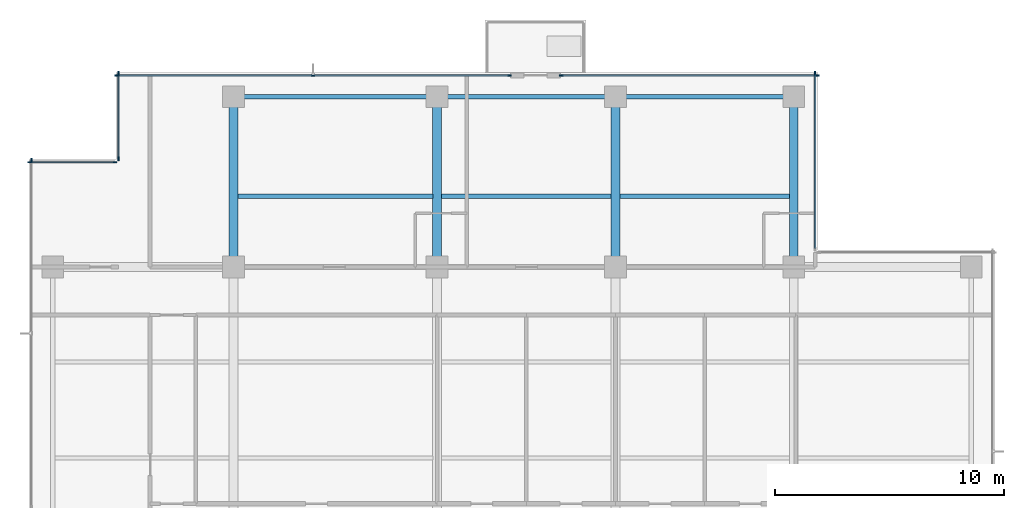
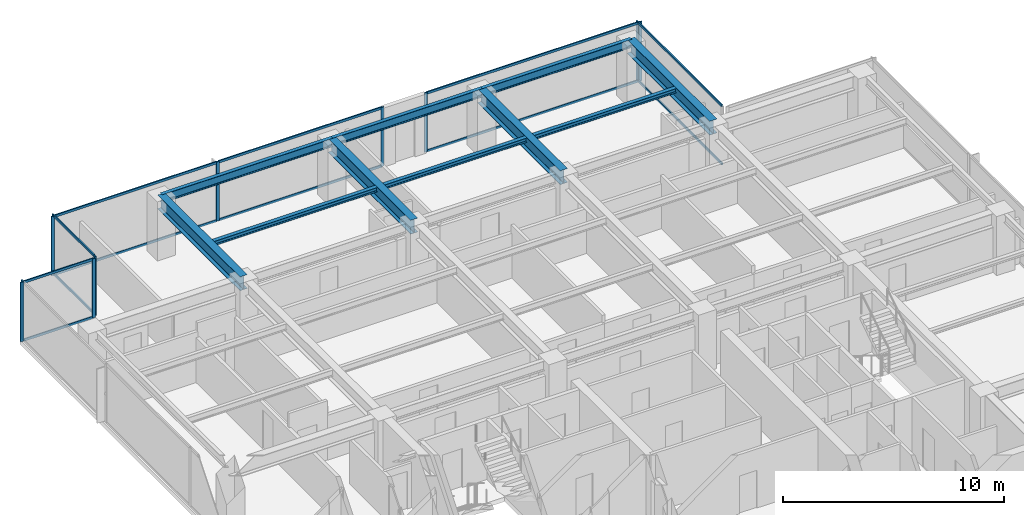
# One storey, part 5 of 15: 23 members, 10 beams, 6 elements without a shape of their own.
"""IFC4 building model written with IfcOpenShell, lengths in metres."""

from ifc_helpers import new_model, si_unit, direction, frame, origin, origin_2d, place, context, subcontext, project, spatial, rectangle, i_section, extrude, material, layer, layer_set, material_profile, profile_set, type_object, element, aggregate, save


model = new_model("IFC4")

# Units and contexts
model_context = context("Model", 3, precision=1e-05, world=origin(), true_north=direction((0.0, 1.0)))
body_context = subcontext(model_context, "Body", "Model", "MODEL_VIEW")
ifc_project = project(units=[si_unit("LENGTHUNIT", "METRE"), si_unit("AREAUNIT", "SQUARE_METRE"), si_unit("VOLUMEUNIT", "CUBIC_METRE"), si_unit("PLANEANGLEUNIT", "RADIAN"), si_unit("MASSUNIT", "GRAM", prefix="KILO")], contexts=[model_context])

# Site, building, storey
site_placement = place(None, origin())
site = spatial("IfcSite", under=ifc_project, at=site_placement, CompositionType="ELEMENT")
building_placement = place(site_placement, origin())
building = spatial("IfcBuilding", under=site, at=building_placement, Name="Qalmaran Belvedere Hotel", CompositionType="ELEMENT")
storey_placement = place(building_placement, frame((0.0, 0.0, 221.39990234375)))
storey = spatial("IfcBuildingStorey", under=building, at=storey_placement, Name="L56", CompositionType="ELEMENT", Elevation=221.39990234375)

# Beams
ifc_material_1 = material(Name="Steel S355JR", Category="steel")
ifc_material_profile_1 = material_profile(ifc_material_1, i_section(OverallWidth=0.201904296875, OverallDepth=0.2470703125, WebThickness=0.00732421875, FlangeThickness=0.010986328125, FilletRadius=0.011962890625, at=origin_2d()), Name="W250X49")
ifc_profile_set_1 = profile_set([ifc_material_profile_1], Name="Steel S355JR")
beam_type_1 = type_object("IfcBeamType", Name="BM-JST-W250X49", PredefinedType="JOIST", material=ifc_profile_set_1)
beam_1_placement = place(storey_placement, frame((20.488525390625, 36.10009765625, 3.13671875), z_axis=(1.0, 0.0, 0.0), x_axis=(0.0, 1.0, 0.0)))
element("IfcBeam", 1, at=beam_1_placement, inside=storey, type_object=beam_type_1, Name="L56 North Floor Joist 042", PredefinedType="JOIST", context=body_context, shape_type="SweptSolid", body=[
    extrude(i_section(OverallWidth=0.201904296875, OverallDepth=0.2470703125, WebThickness=0.00732421875, FlangeThickness=0.010986328125, FilletRadius=0.011962890625, at=origin_2d()), origin(), (0.0, 0.0, 1.0), 8.52294921875),
])
for number, where, z_axis, x_axis, name in (
    (2, (29.388427734375, 36.10009765625, 3.13671875), (1.0, 0.0, 0.0), (0.0, 1.0, 0.0), "L56 North Floor Joist 043"),
    (3, (37.1884765625, 36.10009765625, 3.13671875), (1.0, 0.0, 0.0), (0.0, 1.0, 0.0), "L56 North Floor Joist 044"),
):
    element("IfcBeam", number, at=place(storey_placement, frame(where, z_axis=z_axis, x_axis=x_axis)), inside=storey, type_object=beam_type_1, Name=name, PredefinedType="JOIST", context=body_context, shape_type="SweptSolid", body=[
        extrude(i_section(OverallWidth=0.201904296875, OverallDepth=0.2470703125, WebThickness=0.00732421875, FlangeThickness=0.010986328125, FilletRadius=0.011962890625, at=origin_2d()), origin(), (0.0, 0.0, 1.0), 7.423095703125),
    ])
ifc_material_profile_2 = material_profile(ifc_material_1, i_section(OverallWidth=0.381103515625, OverallDepth=0.77294921875, WebThickness=0.0166015625, FlangeThickness=0.027099609375, FilletRadius=0.02197265625, at=origin_2d()), Name="W760X257")
ifc_profile_set_2 = profile_set([ifc_material_profile_2], Name="Steel S355JR")
beam_type_2 = type_object("IfcBeamType", Name="BM-PG4-W760X257", PredefinedType="USERDEFINED", material=ifc_profile_set_2)
for number, where, z_axis, x_axis, name in (
    (4, (20.300048828125, 33.0, 2.87353515625), (0.0, 1.0, 0.0), (-1.0, 0.0, 0.0), "L56 North Bay Girder 15"),
    (5, (29.199951171875, 33.0, 2.87353515625), (0.0, 1.0, 0.0), (-1.0, 0.0, 0.0), "L56 North Bay Girder 17"),
    (6, (37.0, 33.0, 2.87353515625), (0.0, 1.0, 0.0), (-1.0, 0.0, 0.0), "L56 North Bay Girder 19"),
    (7, (44.800048828125, 33.0, 2.87353515625), (0.0, 1.0, 0.0), (-1.0, 0.0, 0.0), "L56 North Bay Girder 21"),
):
    element("IfcBeam", number, at=place(storey_placement, frame(where, z_axis=z_axis, x_axis=x_axis)), inside=storey, type_object=beam_type_2, Name=name, ObjectType="GIRDER", PredefinedType="USERDEFINED", context=body_context, shape_type="SweptSolid", body=[
        extrude(i_section(OverallWidth=0.381103515625, OverallDepth=0.77294921875, WebThickness=0.0166015625, FlangeThickness=0.027099609375, FilletRadius=0.02197265625, at=origin_2d()), origin(), (0.0, 0.0, 1.0), 7.449951171875),
    ])
ifc_material_profile_3 = material_profile(ifc_material_1, i_section(OverallWidth=0.19189453125, OverallDepth=0.462890625, WebThickness=0.010498046875, FlangeThickness=0.017578125, FilletRadius=0.01611328125, at=origin_2d()), Name="W460X89")
ifc_profile_set_3 = profile_set([ifc_material_profile_3], Name="Steel S355JR")
beam_type_3 = type_object("IfcBeamType", Name="BM-SP2-W460X89", PredefinedType="SPANDREL", material=ifc_profile_set_3)
beam_2_placement = place(storey_placement, frame((20.300048828125, 40.449951171875, 3.028564453125), z_axis=(1.0, 0.0, 0.0), x_axis=(0.0, 1.0, 0.0)))
element("IfcBeam", 8, at=beam_2_placement, inside=storey, type_object=beam_type_3, Name="L56 Perimeter Spandrel 05", PredefinedType="SPANDREL", context=body_context, shape_type="SweptSolid", body=[
    extrude(i_section(OverallWidth=0.19189453125, OverallDepth=0.462890625, WebThickness=0.010498046875, FlangeThickness=0.017578125, FilletRadius=0.01611328125, at=origin_2d()), origin(), (0.0, 0.0, 1.0), 8.89990234375),
])
for number, where, z_axis, x_axis, name in (
    (9, (29.199951171875, 40.449951171875, 3.028564453125), (1.0, 0.0, 0.0), (0.0, 1.0, 0.0), "L56 Perimeter Spandrel 06"),
    (10, (37.0, 40.449951171875, 3.028564453125), (1.0, 0.0, 0.0), (0.0, 1.0, 0.0), "L56 Perimeter Spandrel 07"),
):
    element("IfcBeam", number, at=place(storey_placement, frame(where, z_axis=z_axis, x_axis=x_axis)), inside=storey, type_object=beam_type_3, Name=name, PredefinedType="SPANDREL", context=body_context, shape_type="SweptSolid", body=[
        extrude(i_section(OverallWidth=0.19189453125, OverallDepth=0.462890625, WebThickness=0.010498046875, FlangeThickness=0.017578125, FilletRadius=0.01611328125, at=origin_2d()), origin(), (0.0, 0.0, 1.0), 7.800048828125),
    ])

# Curtain wall, member
ifc_material_2 = material(Name="Anodised Bronze Aluminium", Category="aluminium")
ifc_layer = layer(ifc_material_2, 0.18994140625, Name="Anodised Bronze Aluminium")
ifc_layer_set = layer_set([ifc_layer], Name="Anodised Bronze Aluminium")
curtain_wall_type = type_object("IfcCurtainWallType", Name="CW5-TOWER-UPPER", PredefinedType="NOTDEFINED", material=ifc_layer_set)
curtain_wall_1_placement = place(storey_placement, origin())
curtain_wall_1 = element("IfcCurtainWall", 11, at=curtain_wall_1_placement, inside=storey, type_object=curtain_wall_type, Name="L56 Curtain Wall CW5", PredefinedType="NOTDEFINED")
ifc_material_profile_4 = material_profile(ifc_material_2, rectangle(XDim=0.06494140625, YDim=0.1650390625, at=origin_2d()), Name="CWM65X165")
ifc_profile_set_4 = profile_set([ifc_material_profile_4], Name="Anodised Bronze Aluminium")
member_type_1 = type_object("IfcMemberType", Name="CWM-65X165", PredefinedType="MULLION", material=ifc_profile_set_4)
member_1_placement = place(storey_placement, frame((45.72998046875, 41.467529296875, 0.0), z_axis=(0.0, 0.0, 1.0), x_axis=(-1.0, 0.0, 0.0)))
member_1 = element("IfcMember", 12, at=member_1_placement, type_object=member_type_1, Name="CW5 mullion 2", PredefinedType="MULLION", context=body_context, shape_type="SweptSolid", body=[
    extrude(rectangle(XDim=0.06494140625, YDim=0.1650390625, at=origin_2d()), origin(), (0.0, 0.0, 1.0), 3.260009765625),
])

# Curtain wall, members
curtain_wall_2_placement = place(storey_placement, origin())
curtain_wall_2 = element("IfcCurtainWall", 13, at=curtain_wall_2_placement, inside=storey, type_object=curtain_wall_type, Name="L56 Curtain Wall CW5", PredefinedType="NOTDEFINED")
member_2_placement = place(storey_placement, frame((32.367431640625, 41.3798828125, 0.0), z_axis=(0.0, 0.0, 1.0), x_axis=(0.0, -1.0, 0.0)))
member_2 = element("IfcMember", 14, at=member_2_placement, type_object=member_type_1, Name="CW5 mullion 1", PredefinedType="MULLION", context=body_context, shape_type="SweptSolid", body=[
    extrude(rectangle(XDim=0.06494140625, YDim=0.1650390625, at=origin_2d()), origin(), (0.0, 0.0, 1.0), 3.260009765625),
])
member_3_placement = place(storey_placement, frame((23.77490234375, 41.3798828125, 0.0), z_axis=(0.0, 0.0, 1.0), x_axis=(0.0, -1.0, 0.0)))
member_3 = element("IfcMember", 15, at=member_3_placement, type_object=member_type_1, Name="CW5 mullion 2", PredefinedType="MULLION", context=body_context, shape_type="SweptSolid", body=[
    extrude(rectangle(XDim=0.06494140625, YDim=0.1650390625, at=origin_2d()), origin(), (0.0, 0.0, 1.0), 3.260009765625),
])
member_4_placement = place(storey_placement, frame((15.1826171875, 41.3798828125, 0.0), z_axis=(0.0, 0.0, 1.0), x_axis=(0.0, -1.0, 0.0)))
member_4 = element("IfcMember", 16, at=member_4_placement, type_object=member_type_1, Name="CW5 mullion 3", PredefinedType="MULLION", context=body_context, shape_type="SweptSolid", body=[
    extrude(rectangle(XDim=0.06494140625, YDim=0.1650390625, at=origin_2d()), origin(), (0.0, 0.0, 1.0), 3.260009765625),
])

curtain_wall_3_placement = place(storey_placement, origin())
curtain_wall_3 = element("IfcCurtainWall", 17, at=curtain_wall_3_placement, inside=storey, type_object=curtain_wall_type, Name="L56 Curtain Wall CW5", PredefinedType="NOTDEFINED")
member_5_placement = place(storey_placement, frame((45.8173828125, 41.3798828125, 0.0), z_axis=(0.0, 0.0, 1.0), x_axis=(0.0, -1.0, 0.0)))
member_5 = element("IfcMember", 18, at=member_5_placement, type_object=member_type_1, Name="CW5 mullion 1", PredefinedType="MULLION", context=body_context, shape_type="SweptSolid", body=[
    extrude(rectangle(XDim=0.06494140625, YDim=0.1650390625, at=origin_2d()), origin(), (0.0, 0.0, 1.0), 3.260009765625),
])
member_6_placement = place(storey_placement, frame((34.632568359375, 41.3798828125, 0.0), z_axis=(0.0, 0.0, 1.0), x_axis=(0.0, -1.0, 0.0)))
member_6 = element("IfcMember", 19, at=member_6_placement, type_object=member_type_1, Name="CW5 mullion 2", PredefinedType="MULLION", context=body_context, shape_type="SweptSolid", body=[
    extrude(rectangle(XDim=0.06494140625, YDim=0.1650390625, at=origin_2d()), origin(), (0.0, 0.0, 1.0), 3.260009765625),
])

curtain_wall_4_placement = place(storey_placement, origin())
curtain_wall_4 = element("IfcCurtainWall", 20, at=curtain_wall_4_placement, inside=storey, type_object=curtain_wall_type, Name="L56 Curtain Wall CW5", PredefinedType="NOTDEFINED")
member_7_placement = place(storey_placement, frame((15.27001953125, 41.467529296875, 0.0), z_axis=(0.0, 0.0, 1.0), x_axis=(1.0, 0.0, 0.0)))
member_7 = element("IfcMember", 21, at=member_7_placement, type_object=member_type_1, Name="CW5 mullion 1", PredefinedType="MULLION", context=body_context, shape_type="SweptSolid", body=[
    extrude(rectangle(XDim=0.06494140625, YDim=0.1650390625, at=origin_2d()), origin(), (0.0, 0.0, 1.0), 3.260009765625),
])
member_8_placement = place(storey_placement, frame((15.27001953125, 37.732421875, 0.0), z_axis=(0.0, 0.0, 1.0), x_axis=(1.0, 0.0, 0.0)))
member_8 = element("IfcMember", 22, at=member_8_placement, type_object=member_type_1, Name="CW5 mullion 2", PredefinedType="MULLION", context=body_context, shape_type="SweptSolid", body=[
    extrude(rectangle(XDim=0.06494140625, YDim=0.1650390625, at=origin_2d()), origin(), (0.0, 0.0, 1.0), 3.260009765625),
])

curtain_wall_5_placement = place(storey_placement, origin())
curtain_wall_5 = element("IfcCurtainWall", 23, at=curtain_wall_5_placement, inside=storey, type_object=curtain_wall_type, Name="L56 Curtain Wall CW5", PredefinedType="NOTDEFINED")
member_9_placement = place(storey_placement, frame((15.117431640625, 37.580078125, 0.0), z_axis=(0.0, 0.0, 1.0), x_axis=(0.0, -1.0, 0.0)))
member_9 = element("IfcMember", 24, at=member_9_placement, type_object=member_type_1, Name="CW5 mullion 1", PredefinedType="MULLION", context=body_context, shape_type="SweptSolid", body=[
    extrude(rectangle(XDim=0.06494140625, YDim=0.1650390625, at=origin_2d()), origin(), (0.0, 0.0, 1.0), 3.260009765625),
])
member_10_placement = place(storey_placement, frame((11.382568359375, 37.580078125, 0.0), z_axis=(0.0, 0.0, 1.0), x_axis=(0.0, -1.0, 0.0)))
member_10 = element("IfcMember", 25, at=member_10_placement, type_object=member_type_1, Name="CW5 mullion 2", PredefinedType="MULLION", context=body_context, shape_type="SweptSolid", body=[
    extrude(rectangle(XDim=0.06494140625, YDim=0.1650390625, at=origin_2d()), origin(), (0.0, 0.0, 1.0), 3.260009765625),
])

# Curtain wall, member
curtain_wall_6_placement = place(storey_placement, origin())
curtain_wall_6 = element("IfcCurtainWall", 26, at=curtain_wall_6_placement, inside=storey, type_object=curtain_wall_type, Name="L56 Curtain Wall CW5", PredefinedType="NOTDEFINED")
member_11_placement = place(storey_placement, frame((11.469970703125, 37.66748046875, 0.0), z_axis=(0.0, 0.0, 1.0), x_axis=(1.0, 0.0, 0.0)))
member_11 = element("IfcMember", 27, at=member_11_placement, type_object=member_type_1, Name="CW5 mullion 1", PredefinedType="MULLION", context=body_context, shape_type="SweptSolid", body=[
    extrude(rectangle(XDim=0.06494140625, YDim=0.1650390625, at=origin_2d()), origin(), (0.0, 0.0, 1.0), 3.260009765625),
])
aggregate(curtain_wall_6, [member_11])

# Member
ifc_material_profile_5 = material_profile(ifc_material_2, rectangle(XDim=0.06494140625, YDim=0.1298828125, at=origin_2d()), Name="CWT65X130")
ifc_profile_set_5 = profile_set([ifc_material_profile_5], Name="Anodised Bronze Aluminium")
member_type_2 = type_object("IfcMemberType", Name="CWT-65X130", PredefinedType="USERDEFINED", material=ifc_profile_set_5)
member_12_placement = place(storey_placement, frame((45.72998046875, 33.81494140625, 0.03271484375), z_axis=(0.0, 1.0, 0.0), x_axis=(-1.0, 0.0, 0.0)))
member_12 = element("IfcMember", 28, at=member_12_placement, type_object=member_type_2, Name="CW5 transom 1.1", ObjectType="TRANSOM", PredefinedType="USERDEFINED", context=body_context, shape_type="SweptSolid", body=[
    extrude(rectangle(XDim=0.06494140625, YDim=0.1298828125, at=origin_2d()), origin(), (0.0, 0.0, 1.0), 7.6201171875),
])

member_13_placement = place(storey_placement, frame((45.72998046875, 33.81494140625, 3.2275390625), z_axis=(0.0, 1.0, 0.0), x_axis=(-1.0, 0.0, 0.0)))
member_13 = element("IfcMember", 29, at=member_13_placement, type_object=member_type_2, Name="CW5 transom 1.2", ObjectType="TRANSOM", PredefinedType="USERDEFINED", context=body_context, shape_type="SweptSolid", body=[
    extrude(rectangle(XDim=0.06494140625, YDim=0.1298828125, at=origin_2d()), origin(), (0.0, 0.0, 1.0), 7.6201171875),
])

aggregate(curtain_wall_1, [member_1, member_12, member_13])

member_14_placement = place(storey_placement, frame((32.3349609375, 41.3798828125, 0.03271484375), z_axis=(-1.0, 0.0, 0.0), x_axis=(0.0, -1.0, 0.0)))
member_14 = element("IfcMember", 30, at=member_14_placement, type_object=member_type_2, Name="CW5 transom 1.1", ObjectType="TRANSOM", PredefinedType="USERDEFINED", context=body_context, shape_type="SweptSolid", body=[
    extrude(rectangle(XDim=0.06494140625, YDim=0.1298828125, at=origin_2d()), origin(), (0.0, 0.0, 1.0), 8.52734375),
])

member_15_placement = place(storey_placement, frame((32.3349609375, 41.3798828125, 3.2275390625), z_axis=(-1.0, 0.0, 0.0), x_axis=(0.0, -1.0, 0.0)))
member_15 = element("IfcMember", 31, at=member_15_placement, type_object=member_type_2, Name="CW5 transom 1.2", ObjectType="TRANSOM", PredefinedType="USERDEFINED", context=body_context, shape_type="SweptSolid", body=[
    extrude(rectangle(XDim=0.06494140625, YDim=0.1298828125, at=origin_2d()), origin(), (0.0, 0.0, 1.0), 8.52734375),
])

member_16_placement = place(storey_placement, frame((23.742431640625, 41.3798828125, 0.03271484375), z_axis=(-1.0, 0.0, 0.0), x_axis=(0.0, -1.0, 0.0)))
member_16 = element("IfcMember", 32, at=member_16_placement, type_object=member_type_2, Name="CW5 transom 2.1", ObjectType="TRANSOM", PredefinedType="USERDEFINED", context=body_context, shape_type="SweptSolid", body=[
    extrude(rectangle(XDim=0.06494140625, YDim=0.1298828125, at=origin_2d()), origin(), (0.0, 0.0, 1.0), 8.52734375),
])

member_17_placement = place(storey_placement, frame((23.742431640625, 41.3798828125, 3.2275390625), z_axis=(-1.0, 0.0, 0.0), x_axis=(0.0, -1.0, 0.0)))
member_17 = element("IfcMember", 33, at=member_17_placement, type_object=member_type_2, Name="CW5 transom 2.2", ObjectType="TRANSOM", PredefinedType="USERDEFINED", context=body_context, shape_type="SweptSolid", body=[
    extrude(rectangle(XDim=0.06494140625, YDim=0.1298828125, at=origin_2d()), origin(), (0.0, 0.0, 1.0), 8.52734375),
])

aggregate(curtain_wall_2, [member_2, member_3, member_4, member_14, member_15, member_16, member_17])

member_18_placement = place(storey_placement, frame((45.784912109375, 41.3798828125, 0.03271484375), z_axis=(-1.0, 0.0, 0.0), x_axis=(0.0, -1.0, 0.0)))
member_18 = element("IfcMember", 34, at=member_18_placement, type_object=member_type_2, Name="CW5 transom 1.1", ObjectType="TRANSOM", PredefinedType="USERDEFINED", context=body_context, shape_type="SweptSolid", body=[
    extrude(rectangle(XDim=0.06494140625, YDim=0.1298828125, at=origin_2d()), origin(), (0.0, 0.0, 1.0), 11.119873046875),
])

member_19_placement = place(storey_placement, frame((45.784912109375, 41.3798828125, 3.2275390625), z_axis=(-1.0, 0.0, 0.0), x_axis=(0.0, -1.0, 0.0)))
member_19 = element("IfcMember", 35, at=member_19_placement, type_object=member_type_2, Name="CW5 transom 1.2", ObjectType="TRANSOM", PredefinedType="USERDEFINED", context=body_context, shape_type="SweptSolid", body=[
    extrude(rectangle(XDim=0.06494140625, YDim=0.1298828125, at=origin_2d()), origin(), (0.0, 0.0, 1.0), 11.119873046875),
])

aggregate(curtain_wall_3, [member_5, member_6, member_18, member_19])

member_20_placement = place(storey_placement, frame((15.27001953125, 41.43505859375, 0.03271484375), z_axis=(0.0, -1.0, 0.0), x_axis=(1.0, 0.0, 0.0)))
member_20 = element("IfcMember", 36, at=member_20_placement, type_object=member_type_2, Name="CW5 transom 1.1", ObjectType="TRANSOM", PredefinedType="USERDEFINED", context=body_context, shape_type="SweptSolid", body=[
    extrude(rectangle(XDim=0.06494140625, YDim=0.1298828125, at=origin_2d()), origin(), (0.0, 0.0, 1.0), 3.670166015625),
])

member_21_placement = place(storey_placement, frame((15.27001953125, 41.43505859375, 3.2275390625), z_axis=(0.0, -1.0, 0.0), x_axis=(1.0, 0.0, 0.0)))
member_21 = element("IfcMember", 37, at=member_21_placement, type_object=member_type_2, Name="CW5 transom 1.2", ObjectType="TRANSOM", PredefinedType="USERDEFINED", context=body_context, shape_type="SweptSolid", body=[
    extrude(rectangle(XDim=0.06494140625, YDim=0.1298828125, at=origin_2d()), origin(), (0.0, 0.0, 1.0), 3.670166015625),
])

aggregate(curtain_wall_4, [member_7, member_8, member_20, member_21])

member_22_placement = place(storey_placement, frame((15.0849609375, 37.580078125, 0.03271484375), z_axis=(-1.0, 0.0, 0.0), x_axis=(0.0, -1.0, 0.0)))
member_22 = element("IfcMember", 38, at=member_22_placement, type_object=member_type_2, Name="CW5 transom 1.1", ObjectType="TRANSOM", PredefinedType="USERDEFINED", context=body_context, shape_type="SweptSolid", body=[
    extrude(rectangle(XDim=0.06494140625, YDim=0.1298828125, at=origin_2d()), origin(), (0.0, 0.0, 1.0), 3.669921875),
])

member_23_placement = place(storey_placement, frame((15.0849609375, 37.580078125, 3.2275390625), z_axis=(-1.0, 0.0, 0.0), x_axis=(0.0, -1.0, 0.0)))
member_23 = element("IfcMember", 39, at=member_23_placement, type_object=member_type_2, Name="CW5 transom 1.2", ObjectType="TRANSOM", PredefinedType="USERDEFINED", context=body_context, shape_type="SweptSolid", body=[
    extrude(rectangle(XDim=0.06494140625, YDim=0.1298828125, at=origin_2d()), origin(), (0.0, 0.0, 1.0), 3.669921875),
])

aggregate(curtain_wall_5, [member_9, member_10, member_22, member_23])

save(model, "model.ifc")
